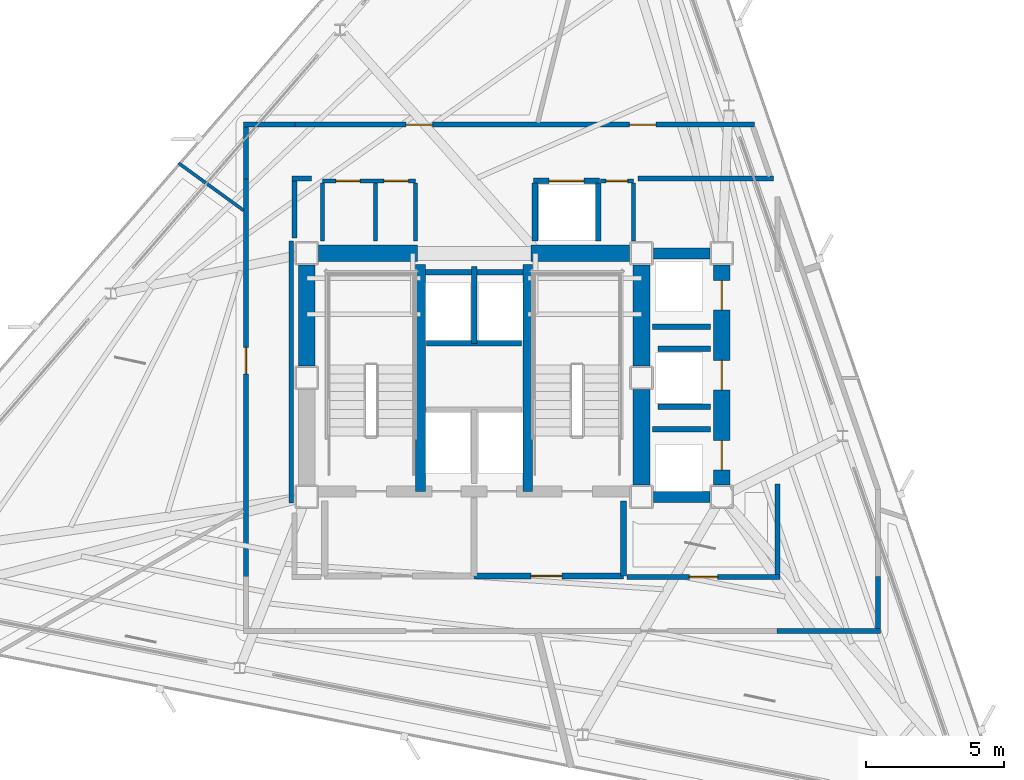
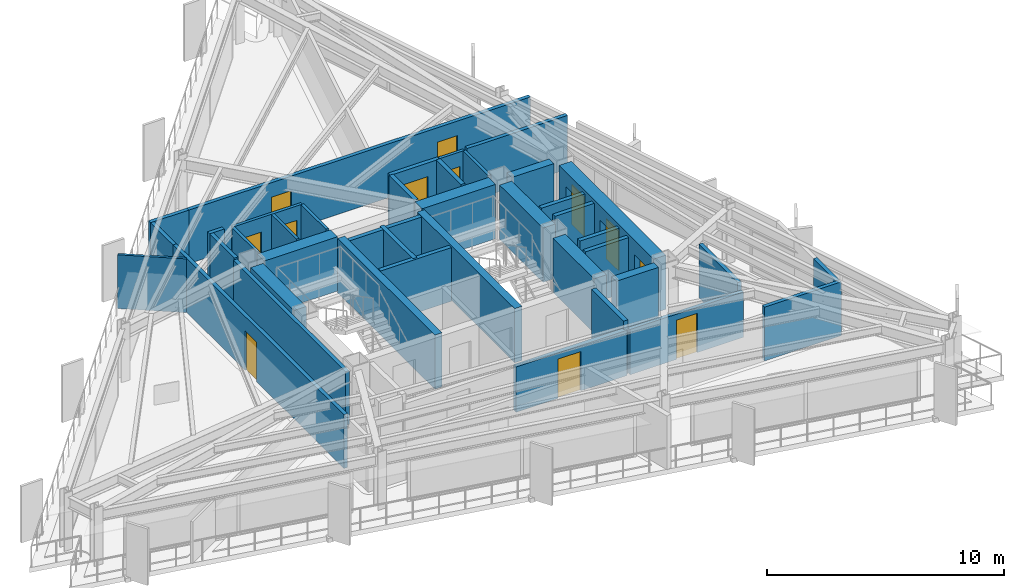
# One storey, part 9 of 13: 41 walls, 12 doors, 12 openings.
"""IFC4 building model written with IfcOpenShell, lengths in metres."""

from ifc_helpers import new_model, si_unit, direction, frame, frame_2d, origin, place, context, subcontext, project, spatial, rectangle, extrude, material, layer, layer_set, type_object, element, fill, save


model = new_model("IFC4")

# Units and contexts
model_context = context("Model", 3, precision=1e-05, world=origin(), true_north=direction((0.0, 1.0)))
body_context = subcontext(model_context, "Body", "Model", "MODEL_VIEW")
ifc_project = project(units=[si_unit("LENGTHUNIT", "METRE"), si_unit("AREAUNIT", "SQUARE_METRE"), si_unit("VOLUMEUNIT", "CUBIC_METRE"), si_unit("PLANEANGLEUNIT", "RADIAN"), si_unit("MASSUNIT", "GRAM", prefix="KILO")], contexts=[model_context])

# Site, building, storey
site_placement = place(None, origin())
site = spatial("IfcSite", under=ifc_project, at=site_placement, CompositionType="ELEMENT")
building_placement = place(site_placement, origin())
building = spatial("IfcBuilding", under=site, at=building_placement, Name="Rocaltana Carrier Exchange", CompositionType="ELEMENT")
storey_placement = place(building_placement, frame((0.0, 0.0, 153.280029296875)))
storey = spatial("IfcBuildingStorey", under=building, at=storey_placement, Name="L48", CompositionType="ELEMENT", Elevation=153.280029296875)

# Walls
ifc_material_1 = material(Name="Concrete C50/60", Category="concrete")
ifc_layer_1 = layer(ifc_material_1, 0.35009765625)
ifc_layer_set_1 = layer_set([ifc_layer_1], Name="Concrete C50/60")
wall_type_1 = type_object("IfcWallType", Name="Core Internal Shear Wall 350", PredefinedType="SHEAR", material=ifc_layer_set_1)
for number, where, z_axis, x_axis, name in (
    (1, (-1.93994140625, -4.10009765625, 0.0), (0.0, 0.0, 1.0), (0.0, 1.0, 0.0), "L48 Core Shear Wall CW-STW"),
    (2, (1.93994140625, -4.10009765625, 0.0), (0.0, 0.0, 1.0), (0.0, 1.0, 0.0), "L48 Core Shear Wall CW-STE"),
):
    element("IfcWall", number, at=place(storey_placement, frame(where, z_axis=z_axis, x_axis=x_axis)), inside=storey, type_object=wall_type_1, Name=name, PredefinedType="SHEAR", context=body_context, shape_type="SweptSolid", body=[
        extrude(rectangle(XDim=8.2001953125, YDim=0.35009765625, at=frame_2d((4.10009765625, 0.0))), origin(), (0.0, 0.0, 1.0), 2.7880859375),
    ])
ifc_material_2 = material(Name="Concrete C50/60", Category="concrete")
ifc_layer_2 = layer(ifc_material_2, 0.39990234375)
ifc_layer_set_2 = layer_set([ifc_layer_2], Name="Concrete C50/60")
wall_type_2 = type_object("IfcWallType", Name="Core Internal Shear Wall 400", PredefinedType="SHEAR", material=ifc_layer_set_2)
for number, where, z_axis, x_axis, name in (
    (3, (6.47509765625, 4.5, 0.0), (0.0, 0.0, 1.0), (1.0, 0.0, 0.0), "L48 Core Shear Wall CW-EWN"),
    (4, (6.47509765625, -4.300048828125, 0.0), (0.0, 0.0, 1.0), (1.0, 0.0, 0.0), "L48 Core Shear Wall CW-EWS"),
):
    element("IfcWall", number, at=place(storey_placement, frame(where, z_axis=z_axis, x_axis=x_axis)), inside=storey, type_object=wall_type_2, Name=name, PredefinedType="SHEAR", context=body_context, shape_type="SweptSolid", body=[
        extrude(rectangle(XDim=2.0498046875, YDim=0.39990234375, at=frame_2d((1.02490234375, 0.0))), origin(), (0.0, 0.0, 1.0), 2.7880859375),
    ])
ifc_material_3 = material(Name="Concrete C50/60", Category="concrete")
ifc_layer_3 = layer(ifc_material_3, 0.60009765625)
ifc_layer_set_3 = layer_set([ifc_layer_3], Name="Concrete C50/60")
wall_type_3 = type_object("IfcWallType", Name="Core Shear Wall 600", PredefinedType="SHEAR", material=ifc_layer_set_3)
for number, where, z_axis, x_axis, name in (
    (5, (-6.050048828125, 0.425048828125, 0.0), (0.0, 0.0, 1.0), (0.0, 1.0, 0.0), "L48 Core Shear Wall CW-WN"),
    (6, (6.050048828125, 0.425048828125, 0.0), (0.0, 0.0, 1.0), (0.0, 1.0, 0.0), "L48 Core Shear Wall CW-EN"),
):
    element("IfcWall", number, at=place(storey_placement, frame(where, z_axis=z_axis, x_axis=x_axis)), inside=storey, type_object=wall_type_3, Name=name, PredefinedType="SHEAR", context=body_context, shape_type="SweptSolid", body=[
        extrude(rectangle(XDim=3.64990234375, YDim=0.60009765625, at=frame_2d((1.824951171875, 0.0))), origin(), (0.0, 0.0, 1.0), 2.7880859375),
    ])
wall_1_placement = place(storey_placement, frame((6.050048828125, -3.875, 0.0), z_axis=(0.0, 0.0, 1.0), x_axis=(0.0, 1.0, 0.0)))
element("IfcWall", 7, at=wall_1_placement, inside=storey, type_object=wall_type_3, Name="L48 Core Shear Wall CW-ES", PredefinedType="SHEAR", context=body_context, shape_type="SweptSolid", body=[
    extrude(rectangle(XDim=3.449951171875, YDim=0.60009765625, at=frame_2d((1.72509765625, 0.0))), origin(), (0.0, 0.0, 1.0), 2.7880859375),
])
for number, where, z_axis, x_axis, name in (
    (8, (-5.625, 4.5, 0.0), (0.0, 0.0, 1.0), (1.0, 0.0, 0.0), "L48 Core Shear Wall CW-N1"),
    (9, (2.050048828125, 4.5, 0.0), (0.0, 0.0, 1.0), (1.0, 0.0, 0.0), "L48 Core Shear Wall CW-N2"),
):
    element("IfcWall", number, at=place(storey_placement, frame(where, z_axis=z_axis, x_axis=x_axis)), inside=storey, type_object=wall_type_3, Name=name, PredefinedType="SHEAR", context=body_context, shape_type="SweptSolid", body=[
        extrude(rectangle(XDim=3.574951171875, YDim=0.60009765625, at=frame_2d((1.78759765625, 0.0))), origin(), (0.0, 0.0, 1.0), 2.7880859375),
    ])

# Wall, openings, doors
wall_2_placement = place(storey_placement, frame((8.949951171875, -3.875, 0.0), z_axis=(0.0, 0.0, 1.0), x_axis=(0.0, 1.0, 0.0)))
wall_2 = element("IfcWall", 10, at=wall_2_placement, inside=storey, type_object=wall_type_3, Name="L48 Core Shear Wall CW-EW", PredefinedType="SHEAR", context=body_context, shape_type="SweptSolid", body=[
    extrude(rectangle(XDim=7.949951171875, YDim=0.60009765625, at=frame_2d((3.97509765625, 0.0))), origin(), (0.0, 0.0, 1.0), 2.7880859375),
])
opening_1_placement = place(wall_2_placement, frame((0.550048828125, 0.0, 0.0)))
opening_1 = element("IfcOpeningElement", 11, at=opening_1_placement, cuts=wall_2, Name="Opening LD-110", PredefinedType="OPENING", context=body_context, shape_type="SweptSolid", body=[
    extrude(rectangle(XDim=1.06005859375, YDim=2.0400390625, at=frame_2d((0.530029296875, 1.02001953125))), frame((0.0, 0.31005859375, 0.0), z_axis=(0.0, -1.0, 0.0), x_axis=(1.0, 0.0, 0.0)), (0.0, 0.0, 1.0), 0.6201171875),
])
opening_2_placement = place(wall_2_placement, frame((3.445068359375, 0.0, 0.0)))
opening_2 = element("IfcOpeningElement", 12, at=opening_2_placement, cuts=wall_2, Name="Opening LD-110", PredefinedType="OPENING", context=body_context, shape_type="SweptSolid", body=[
    extrude(rectangle(XDim=1.06005859375, YDim=2.0400390625, at=frame_2d((0.530029296875, 1.02001953125))), frame((0.0, 0.31005859375, 0.0), z_axis=(0.0, -1.0, 0.0), x_axis=(1.0, 0.0, 0.0)), (0.0, 0.0, 1.0), 0.6201171875),
])
opening_3_placement = place(wall_2_placement, frame((6.330078125, 0.0, 0.0)))
opening_3 = element("IfcOpeningElement", 13, at=opening_3_placement, cuts=wall_2, Name="Opening LD-110", PredefinedType="OPENING", context=body_context, shape_type="SweptSolid", body=[
    extrude(rectangle(XDim=1.06005859375, YDim=2.0400390625, at=frame_2d((0.530029296875, 1.02001953125))), frame((0.0, 0.31005859375, 0.0), z_axis=(0.0, -1.0, 0.0), x_axis=(1.0, 0.0, 0.0)), (0.0, 0.0, 1.0), 0.6201171875),
])
ifc_material_4 = material(Name="Brushed Stainless Sliding Door Leaf", Category="steel")
door_type_1 = type_object("IfcDoorType", Name="Lift Landing Sliding Door 1060x2040", OperationType="NOTDEFINED", PredefinedType="DOOR", material=ifc_material_4)
door_1_placement = place(opening_1_placement, origin())
door_1 = element("IfcDoor", 14, at=door_1_placement, inside=storey, type_object=door_type_1, Name="L48 Mid-Rise Lift PL-M1 Landing Door", OperationType="SLIDING_TO_LEFT", OverallHeight=2.0400390625, OverallWidth=1.06005859375, PredefinedType="DOOR", context=body_context, shape_type="SweptSolid", body=[
    extrude(rectangle(XDim=1.06005859375, YDim=2.0400390625, at=frame_2d((0.530029296875, 1.02001953125))), frame((0.0, 0.02490234375, 0.0), z_axis=(0.0, -1.0, 0.0), x_axis=(1.0, 0.0, 0.0)), (0.0, 0.0, 1.0), 0.050048828125),
])
fill(opening_1, door_1)
door_2_placement = place(opening_2_placement, origin())
door_2 = element("IfcDoor", 15, at=door_2_placement, inside=storey, type_object=door_type_1, Name="L48 Mid-Rise Lift PL-M2 Landing Door", OperationType="SLIDING_TO_RIGHT", OverallHeight=2.0400390625, OverallWidth=1.06005859375, PredefinedType="DOOR", context=body_context, shape_type="SweptSolid", body=[
    extrude(rectangle(XDim=1.06005859375, YDim=2.0400390625, at=frame_2d((0.530029296875, 1.02001953125))), frame((0.0, 0.02490234375, 0.0), z_axis=(0.0, -1.0, 0.0), x_axis=(1.0, 0.0, 0.0)), (0.0, 0.0, 1.0), 0.050048828125),
])
fill(opening_2, door_2)
door_3_placement = place(opening_3_placement, origin())
door_3 = element("IfcDoor", 16, at=door_3_placement, inside=storey, type_object=door_type_1, Name="L48 Mid-Rise Lift PL-M3 Landing Door", OperationType="SLIDING_TO_LEFT", OverallHeight=2.0400390625, OverallWidth=1.06005859375, PredefinedType="DOOR", context=body_context, shape_type="SweptSolid", body=[
    extrude(rectangle(XDim=1.06005859375, YDim=2.0400390625, at=frame_2d((0.530029296875, 1.02001953125))), frame((0.0, 0.02490234375, 0.0), z_axis=(0.0, -1.0, 0.0), x_axis=(1.0, 0.0, 0.0)), (0.0, 0.0, 1.0), 0.050048828125),
])
fill(opening_3, door_3)

# Wall, opening, door
ifc_material_5 = material(Name="Gypsum & Steel Stud Partition", Category="steel")
ifc_layer_4 = layer(ifc_material_5, 0.179931640625)
ifc_layer_set_4 = layer_set([ifc_layer_4], Name="Gypsum & Steel Stud Partition")
wall_type_4 = type_object("IfcWallType", Name="Corridor Fire Partition 180 EI60", PredefinedType="PARTITIONING", material=ifc_layer_set_4)
wall_3_placement = place(storey_placement, frame((-8.25, -7.219970703125, 0.0), z_axis=(0.0, 0.0, 1.0), x_axis=(0.0, 1.0, 0.0)))
wall_3 = element("IfcWall", 17, at=wall_3_placement, inside=storey, type_object=wall_type_4, Name="L48 Corridor Partition 3", PredefinedType="PARTITIONING", context=body_context, shape_type="SweptSolid", body=[
    extrude(rectangle(XDim=14.43994140625, YDim=0.179931640625, at=frame_2d((7.219970703125, 0.0))), origin(), (0.0, 0.0, 1.0), 2.762939453125),
])
opening_4_placement = place(wall_3_placement, frame((7.366455078125, 0.0, 0.0)))
opening_4 = element("IfcOpeningElement", 18, at=opening_4_placement, cuts=wall_3, Name="Opening D-RM098", PredefinedType="OPENING", context=body_context, shape_type="SweptSolid", body=[
    extrude(rectangle(XDim=0.9599609375, YDim=2.02001953125, at=frame_2d((0.47998046875, 1.010009765625))), frame((0.0, 0.099853515625, 0.0), z_axis=(0.0, -1.0, 0.0), x_axis=(1.0, 0.0, 0.0)), (0.0, 0.0, 1.0), 0.199951171875),
])
ifc_material_6 = material(Name="Engineered Hardwood Timber", Category="wood")
door_type_2 = type_object("IfcDoorType", Name="Workspace Single Door 960x2020", OperationType="NOTDEFINED", PredefinedType="DOOR", material=ifc_material_6)
door_4_placement = place(opening_4_placement, origin())
door_4 = element("IfcDoor", 19, at=door_4_placement, inside=storey, type_object=door_type_2, Name="L48 Cloud Architecture Office Entrance Door", OperationType="SINGLE_SWING_RIGHT", OverallHeight=2.02001953125, OverallWidth=0.9599609375, PredefinedType="DOOR", context=body_context, shape_type="SweptSolid", body=[
    extrude(rectangle(XDim=0.9599609375, YDim=2.02001953125, at=frame_2d((0.47998046875, 1.010009765625))), frame((0.0, 0.02490234375, 0.0), z_axis=(0.0, -1.0, 0.0), x_axis=(1.0, 0.0, 0.0)), (0.0, 0.0, 1.0), 0.050048828125),
])
fill(opening_4, door_4)

# Walls
wall_4_placement = place(storey_placement, frame((-8.25, 7.179931640625, 0.0), z_axis=(0.0, 0.0, 1.0), x_axis=(0.0, 1.0, 0.0)))
element("IfcWall", 20, at=wall_4_placement, inside=storey, type_object=wall_type_4, Name="L48 Corridor Partition 4", PredefinedType="PARTITIONING", context=body_context, shape_type="SweptSolid", body=[
    extrude(rectangle(XDim=1.880126953125, YDim=0.179931640625, at=frame_2d((0.93994140625, 0.0))), origin(), (0.0, 0.0, 1.0), 2.762939453125),
])
wall_5_placement = place(storey_placement, frame((-8.340087890625, 9.14990234375, 0.0), z_axis=(0.0, 0.0, 1.0), x_axis=(1.0, 0.0, 0.0)))
element("IfcWall", 21, at=wall_5_placement, inside=storey, type_object=wall_type_4, Name="L48 Corridor Partition 5", PredefinedType="PARTITIONING", context=body_context, shape_type="SweptSolid", body=[
    extrude(rectangle(XDim=1.860107421875, YDim=0.179931640625, at=frame_2d((0.93017578125, 0.0))), origin(), (0.0, 0.0, 1.0), 2.762939453125),
])

# Wall, openings, doors
wall_6_placement = place(storey_placement, frame((-6.52001953125, 9.14990234375, 0.0), z_axis=(0.0, 0.0, 1.0), x_axis=(1.0, 0.0, 0.0)))
wall_6 = element("IfcWall", 22, at=wall_6_placement, inside=storey, type_object=wall_type_4, Name="L48 Corridor Partition 6", PredefinedType="PARTITIONING", context=body_context, shape_type="SweptSolid", body=[
    extrude(rectangle(XDim=16.662353515625, YDim=0.179931640625, at=frame_2d((8.3310546875, 0.0))), origin(), (0.0, 0.0, 1.0), 2.762939453125),
])
opening_5_placement = place(wall_6_placement, frame((12.1328125, 0.0, 0.0)))
opening_5 = element("IfcOpeningElement", 23, at=opening_5_placement, cuts=wall_6, Name="Opening D-RM098", PredefinedType="OPENING", context=body_context, shape_type="SweptSolid", body=[
    extrude(rectangle(XDim=0.9599609375, YDim=2.02001953125, at=frame_2d((0.47998046875, 1.010009765625))), frame((0.0, 0.099853515625, 0.0), z_axis=(0.0, -1.0, 0.0), x_axis=(1.0, 0.0, 0.0)), (0.0, 0.0, 1.0), 0.199951171875),
])
opening_6_placement = place(wall_6_placement, frame((4.059814453125, 0.0, 0.0)))
opening_6 = element("IfcOpeningElement", 24, at=opening_6_placement, cuts=wall_6, Name="Opening D-RM098", PredefinedType="OPENING", context=body_context, shape_type="SweptSolid", body=[
    extrude(rectangle(XDim=0.9599609375, YDim=2.02001953125, at=frame_2d((0.47998046875, 1.010009765625))), frame((0.0, 0.099853515625, 0.0), z_axis=(0.0, -1.0, 0.0), x_axis=(1.0, 0.0, 0.0)), (0.0, 0.0, 1.0), 0.199951171875),
])
door_5_placement = place(opening_5_placement, origin())
door_5 = element("IfcDoor", 25, at=door_5_placement, inside=storey, type_object=door_type_2, Name="L48 Peering Conference Room Entrance Door", OperationType="SINGLE_SWING_RIGHT", OverallHeight=2.02001953125, OverallWidth=0.9599609375, PredefinedType="DOOR", context=body_context, shape_type="SweptSolid", body=[
    extrude(rectangle(XDim=0.9599609375, YDim=2.02001953125, at=frame_2d((0.47998046875, 1.010009765625))), frame((0.0, 0.02490234375, 0.0), z_axis=(0.0, -1.0, 0.0), x_axis=(1.0, 0.0, 0.0)), (0.0, 0.0, 1.0), 0.050048828125),
])
fill(opening_5, door_5)
door_6_placement = place(opening_6_placement, origin())
door_6 = element("IfcDoor", 26, at=door_6_placement, inside=storey, type_object=door_type_2, Name="L48 Network Operations Office Entrance Door", OperationType="SINGLE_SWING_LEFT", OverallHeight=2.02001953125, OverallWidth=0.9599609375, PredefinedType="DOOR", context=body_context, shape_type="SweptSolid", body=[
    extrude(rectangle(XDim=0.9599609375, YDim=2.02001953125, at=frame_2d((0.47998046875, 1.010009765625))), frame((0.0, 0.02490234375, 0.0), z_axis=(0.0, -1.0, 0.0), x_axis=(1.0, 0.0, 0.0)), (0.0, 0.0, 1.0), 0.050048828125),
])
fill(opening_6, door_6)

# Walls
wall_7_placement = place(storey_placement, frame((10.813720703125, 7.199951171875, 0.0), z_axis=(0.0, 0.0, 1.0), x_axis=(-1.0, 0.0, 0.0)))
element("IfcWall", 27, at=wall_7_placement, inside=storey, type_object=wall_type_4, Name="L48 Corridor Partition 8", PredefinedType="PARTITIONING", context=body_context, shape_type="SweptSolid", body=[
    extrude(rectangle(XDim=4.8837890625, YDim=0.179931640625, at=frame_2d((2.44189453125, 0.0))), origin(), (0.0, 0.0, 1.0), 2.762939453125),
])
wall_8_placement = place(storey_placement, frame((-5.8798828125, 7.199951171875, 0.0), z_axis=(0.0, 0.0, 1.0), x_axis=(-1.0, 0.0, 0.0)))
element("IfcWall", 28, at=wall_8_placement, inside=storey, type_object=wall_type_4, Name="L48 Corridor Partition 9", PredefinedType="PARTITIONING", context=body_context, shape_type="SweptSolid", body=[
    extrude(rectangle(XDim=0.710205078125, YDim=0.179931640625, at=frame_2d((0.35498046875, 0.0))), origin(), (0.0, 0.0, 1.0), 2.762939453125),
])
wall_9_placement = place(storey_placement, frame((-6.5, 7.110107421875, 0.0), z_axis=(0.0, 0.0, 1.0), x_axis=(0.0, -1.0, 0.0)))
element("IfcWall", 29, at=wall_9_placement, inside=storey, type_object=wall_type_4, Name="L48 Corridor Partition 10", PredefinedType="PARTITIONING", context=body_context, shape_type="SweptSolid", body=[
    extrude(rectangle(XDim=2.058349609375, YDim=0.179931640625, at=frame_2d((1.029296875, 0.0))), origin(), (0.0, 0.0, 1.0), 2.762939453125),
])
wall_10_placement = place(storey_placement, frame((-6.610107421875, 4.93994140625, 0.0), z_axis=(0.0, 0.0, 1.0), x_axis=(0.0, -1.0, 0.0)))
element("IfcWall", 30, at=wall_10_placement, inside=storey, type_object=wall_type_4, Name="L48 Corridor Partition 11", PredefinedType="PARTITIONING", context=body_context, shape_type="SweptSolid", body=[
    extrude(rectangle(XDim=9.4599609375, YDim=0.179931640625, at=frame_2d((4.72998046875, 0.0))), origin(), (0.0, 0.0, 1.0), 2.762939453125),
])

# Wall, opening, door
wall_11_placement = place(storey_placement, frame((5.530029296875, -7.199951171875, 0.0), z_axis=(0.0, 0.0, 1.0), x_axis=(1.0, 0.0, 0.0)))
wall_11 = element("IfcWall", 31, at=wall_11_placement, inside=storey, type_object=wall_type_4, Name="L48 Corridor Partition 14", PredefinedType="PARTITIONING", context=body_context, shape_type="SweptSolid", body=[
    extrude(rectangle(XDim=5.52001953125, YDim=0.179931640625, at=frame_2d((2.760009765625, 0.0))), origin(), (0.0, 0.0, 1.0), 2.330078125),
])
opening_7_placement = place(wall_11_placement, frame((2.25, 0.0, 0.0)))
opening_7 = element("IfcOpeningElement", 32, at=opening_7_placement, cuts=wall_11, Name="Opening D-LB104", PredefinedType="OPENING", context=body_context, shape_type="SweptSolid", body=[
    extrude(rectangle(XDim=1.02001953125, YDim=2.02001953125, at=frame_2d((0.510009765625, 1.010009765625))), frame((0.0, 0.099853515625, 0.0), z_axis=(0.0, -1.0, 0.0), x_axis=(1.0, 0.0, 0.0)), (0.0, 0.0, 1.0), 0.199951171875),
])
ifc_material_7 = material(Name="Powder-Coated Aluminium 6063-T6", Category="aluminium")
door_type_3 = type_object("IfcDoorType", Name="Laboratory Acoustic Door 1020x2020", OperationType="NOTDEFINED", PredefinedType="DOOR", material=ifc_material_7)
door_7_placement = place(opening_7_placement, origin())
door_7 = element("IfcDoor", 33, at=door_7_placement, inside=storey, type_object=door_type_3, Name="L48 Optical Switching Laboratory Entrance Door", OperationType="SINGLE_SWING_LEFT", OverallHeight=2.02001953125, OverallWidth=1.02001953125, PredefinedType="DOOR", context=body_context, shape_type="SweptSolid", body=[
    extrude(rectangle(XDim=1.02001953125, YDim=2.02001953125, at=frame_2d((0.510009765625, 1.010009765625))), frame((0.0, 0.02490234375, 0.0), z_axis=(0.0, -1.0, 0.0), x_axis=(1.0, 0.0, 0.0)), (0.0, 0.0, 1.0), 0.050048828125),
])
fill(opening_7, door_7)

# Walls
wall_12_placement = place(storey_placement, frame((10.9599609375, -7.110107421875, 0.0), z_axis=(0.0, 0.0, 1.0), x_axis=(0.0, 1.0, 0.0)))
element("IfcWall", 34, at=wall_12_placement, inside=storey, type_object=wall_type_4, Name="L48 Corridor Partition 15", PredefinedType="PARTITIONING", context=body_context, shape_type="SweptSolid", body=[
    extrude(rectangle(XDim=3.2705078125, YDim=0.179931640625, at=frame_2d((1.63525390625, 0.0))), origin(), (0.0, 0.0, 1.0), 2.762939453125),
])
wall_13_placement = place(storey_placement, frame((14.60009765625, -7.179931640625, 0.0), z_axis=(0.0, 0.0, 1.0), x_axis=(0.0, -1.0, 0.0)))
element("IfcWall", 35, at=wall_13_placement, inside=storey, type_object=wall_type_4, Name="L48 Corridor Partition 19", PredefinedType="PARTITIONING", context=body_context, shape_type="SweptSolid", body=[
    extrude(rectangle(XDim=1.880126953125, YDim=0.179931640625, at=frame_2d((0.93994140625, 0.0))), origin(), (0.0, 0.0, 1.0), 2.762939453125),
])
wall_14_placement = place(storey_placement, frame((14.68994140625, -9.14990234375, 0.0), z_axis=(0.0, 0.0, 1.0), x_axis=(-1.0, 0.0, 0.0)))
element("IfcWall", 36, at=wall_14_placement, inside=storey, type_object=wall_type_4, Name="L48 Corridor Partition 20", PredefinedType="PARTITIONING", context=body_context, shape_type="SweptSolid", body=[
    extrude(rectangle(XDim=3.75, YDim=0.179931640625, at=frame_2d((1.875, 0.0))), origin(), (0.0, 0.0, 1.0), 2.762939453125),
])
ifc_material_8 = material(Name="Aluminium 6063-T6 & Acoustic Glass", Category="aluminium")
ifc_layer_5 = layer(ifc_material_8, 0.114990234375)
ifc_layer_set_5 = layer_set([ifc_layer_5], Name="Aluminium 6063-T6 & Acoustic Glass")
wall_type_5 = type_object("IfcWallType", Name="Demountable Glazed Lab Partition 115", PredefinedType="MOVABLE", material=ifc_layer_set_5)
wall_15_placement = place(storey_placement, frame((-8.330078125, 6.052001953125, 0.0), z_axis=(0.0, 0.0, 1.0), x_axis=(-0.808997455981, 0.587812143644, 0.0)))
element("IfcWall", 37, at=wall_15_placement, inside=storey, type_object=wall_type_5, Name="L48 Suite Divider Wall D7", PredefinedType="MOVABLE", context=body_context, shape_type="SweptSolid", body=[
    extrude(rectangle(XDim=2.907470703125, YDim=0.114990234375, at=frame_2d((1.45361328125, 0.0))), origin(), (0.0, 0.0, 1.0), 2.762939453125),
])
ifc_material_9 = material(Name="Autoclaved Aerated Concrete C30/37", Category="concrete")
ifc_layer_6 = layer(ifc_material_9, 0.219970703125)
ifc_layer_set_6 = layer_set([ifc_layer_6], Name="Autoclaved Aerated Concrete C30/37")
wall_type_6 = type_object("IfcWallType", Name="Firefighting Lobby Wall 220 EI120", PredefinedType="PARTITIONING", material=ifc_layer_set_6)
wall_16_placement = place(storey_placement, frame((5.39990234375, -7.159912109375, 0.0), z_axis=(0.0, 0.0, 1.0), x_axis=(0.0, 1.0, 0.0)))
element("IfcWall", 38, at=wall_16_placement, inside=storey, type_object=wall_type_6, Name="L48 FFL Lobby 2 East Wall", PredefinedType="PARTITIONING", context=body_context, shape_type="SweptSolid", body=[
    extrude(rectangle(XDim=2.7099609375, YDim=0.219970703125, at=frame_2d((1.35498046875, 0.0))), origin(), (0.0, 0.0, 1.0), 2.762939453125),
])

# Wall, opening, door
wall_17_placement = place(storey_placement, frame((0.0, -7.159912109375, 0.0), z_axis=(0.0, 0.0, 1.0), x_axis=(1.0, 0.0, 0.0)))
wall_17 = element("IfcWall", 39, at=wall_17_placement, inside=storey, type_object=wall_type_6, Name="L48 FFL Lobby 2 South Wall", PredefinedType="PARTITIONING", context=body_context, shape_type="SweptSolid", body=[
    extrude(rectangle(XDim=5.39990234375, YDim=0.219970703125, at=frame_2d((2.699951171875, 0.0))), origin(), (0.0, 0.0, 1.0), 2.330078125),
])
opening_8_placement = place(wall_17_placement, frame((2.050048828125, 0.0, 0.0)))
opening_8 = element("IfcOpeningElement", 40, at=opening_8_placement, cuts=wall_17, Name="Opening D-FF115", PredefinedType="OPENING", context=body_context, shape_type="SweptSolid", body=[
    extrude(rectangle(XDim=1.1201171875, YDim=2.02001953125, at=frame_2d((0.56005859375, 1.010009765625))), frame((0.0, 0.119873046875, 0.0), z_axis=(0.0, -1.0, 0.0), x_axis=(1.0, 0.0, 0.0)), (0.0, 0.0, 1.0), 0.239990234375),
])
ifc_material_10 = material(Name="Hollow Metal Fire Door Assembly", Category="steel")
door_type_4 = type_object("IfcDoorType", Name="Firefighting Lobby Door 1120x2020 FD60S", OperationType="NOTDEFINED", PredefinedType="DOOR", material=ifc_material_10)
door_8_placement = place(opening_8_placement, origin())
door_8 = element("IfcDoor", 41, at=door_8_placement, inside=storey, type_object=door_type_4, Name="L48 Firefighting Lift Lobby 2 Door", OperationType="SINGLE_SWING_RIGHT", OverallHeight=2.02001953125, OverallWidth=1.1201171875, PredefinedType="DOOR", context=body_context, shape_type="SweptSolid", body=[
    extrude(rectangle(XDim=1.1201171875, YDim=2.02001953125, at=frame_2d((0.56005859375, 1.010009765625))), frame((0.0, 0.02490234375, 0.0), z_axis=(0.0, -1.0, 0.0), x_axis=(1.0, 0.0, 0.0)), (0.0, 0.0, 1.0), 0.050048828125),
])
fill(opening_8, door_8)

# Walls
ifc_material_11 = material(Name="Reinforced Concrete Block C35/45", Category="concrete")
ifc_layer_7 = layer(ifc_material_11, 0.199951171875)
ifc_layer_set_7 = layer_set([ifc_layer_7], Name="Reinforced Concrete Block C35/45")
wall_type_7 = type_object("IfcWallType", Name="Lift Hoistway Enclosure Wall 200 EI120", PredefinedType="PARTITIONING", material=ifc_layer_set_7)
wall_18_placement = place(storey_placement, frame((0.0, 1.25, 0.0), z_axis=(0.0, 0.0, 1.0), x_axis=(0.0, 1.0, 0.0)))
element("IfcWall", 42, at=wall_18_placement, inside=storey, type_object=wall_type_7, Name="L48 High-Rise Shaft Divider", PredefinedType="PARTITIONING", context=body_context, shape_type="SweptSolid", body=[
    extrude(rectangle(XDim=2.77001953125, YDim=0.199951171875, at=frame_2d((1.385009765625, 0.0))), origin(), (0.0, 0.0, 1.0), 2.762939453125),
])
wall_19_placement = place(storey_placement, frame((-1.719970703125, 1.25, 0.0), z_axis=(0.0, 0.0, 1.0), x_axis=(1.0, 0.0, 0.0)))
element("IfcWall", 43, at=wall_19_placement, inside=storey, type_object=wall_type_7, Name="L48 High-Rise Shaft Back Wall", PredefinedType="PARTITIONING", context=body_context, shape_type="SweptSolid", body=[
    extrude(rectangle(XDim=3.43994140625, YDim=0.199951171875, at=frame_2d((1.719970703125, 0.0))), origin(), (0.0, 0.0, 1.0), 2.762939453125),
])
wall_20_placement = place(storey_placement, frame((-1.760009765625, 3.820068359375, 0.0), z_axis=(0.0, 0.0, 1.0), x_axis=(1.0, 0.0, 0.0)))
element("IfcWall", 44, at=wall_20_placement, inside=storey, type_object=wall_type_7, Name="L48 High-Rise Lift Front Wall", PredefinedType="PARTITIONING", context=body_context, shape_type="SweptSolid", body=[
    extrude(rectangle(XDim=3.52001953125, YDim=0.199951171875, at=frame_2d((1.760009765625, 0.0))), origin(), (0.0, 0.0, 1.0), 2.762939453125),
])
for number, where, z_axis, x_axis, name in (
    (45, (2.199951171875, 4.949951171875, 0.0), (0.0, 0.0, 1.0), (0.0, 1.0, 0.0), "L48 Goods Lift West Wall"),
    (46, (4.47998046875, 4.949951171875, 0.0), (0.0, 0.0, 1.0), (0.0, 1.0, 0.0), "L48 Goods Lift East Wall"),
):
    element("IfcWall", number, at=place(storey_placement, frame(where, z_axis=z_axis, x_axis=x_axis)), inside=storey, type_object=wall_type_7, Name=name, PredefinedType="PARTITIONING", context=body_context, shape_type="SweptSolid", body=[
        extrude(rectangle(XDim=2.10009765625, YDim=0.199951171875, at=frame_2d((1.050048828125, 0.0))), origin(), (0.0, 0.0, 1.0), 2.762939453125),
    ])

# Wall, opening, door
wall_21_placement = place(storey_placement, frame((2.14990234375, 7.1201171875, 0.0), z_axis=(0.0, 0.0, 1.0), x_axis=(1.0, 0.0, 0.0)))
wall_21 = element("IfcWall", 47, at=wall_21_placement, inside=storey, type_object=wall_type_7, Name="L48 Goods Lift Front Wall", PredefinedType="PARTITIONING", context=body_context, shape_type="SweptSolid", body=[
    extrude(rectangle(XDim=2.380126953125, YDim=0.199951171875, at=frame_2d((1.18994140625, 0.0))), origin(), (0.0, 0.0, 1.0), 2.762939453125),
])
opening_9_placement = place(wall_21_placement, frame((0.56005859375, 0.0, 0.0)))
opening_9 = element("IfcOpeningElement", 48, at=opening_9_placement, cuts=wall_21, Name="Opening LD-130", PredefinedType="OPENING", context=body_context, shape_type="SweptSolid", body=[
    extrude(rectangle(XDim=1.260009765625, YDim=2.06005859375, at=frame_2d((0.6298828125, 1.030029296875))), frame((0.0, 0.10986328125, 0.0), z_axis=(0.0, -1.0, 0.0), x_axis=(1.0, 0.0, 0.0)), (0.0, 0.0, 1.0), 0.219970703125),
])
ifc_material_12 = material(Name="Brushed Stainless Sliding Door Leaf", Category="steel")
door_type_5 = type_object("IfcDoorType", Name="Goods Lift Landing Sliding Door 1260x2060", OperationType="NOTDEFINED", PredefinedType="DOOR", material=ifc_material_12)
door_9_placement = place(opening_9_placement, origin())
door_9 = element("IfcDoor", 49, at=door_9_placement, inside=storey, type_object=door_type_5, Name="L48 Goods Lift GL-1 Landing Door", OperationType="SLIDING_TO_LEFT", OverallHeight=2.06005859375, OverallWidth=1.260009765625, PredefinedType="DOOR", context=body_context, shape_type="SweptSolid", body=[
    extrude(rectangle(XDim=1.260009765625, YDim=2.06005859375, at=frame_2d((0.6298828125, 1.030029296875))), frame((0.0, 0.02490234375, 0.0), z_axis=(0.0, -1.0, 0.0), x_axis=(1.0, 0.0, 0.0)), (0.0, 0.0, 1.0), 0.050048828125),
])
fill(opening_9, door_9)

# Walls
for number, where, z_axis, x_axis, name in (
    (50, (6.449951171875, -1.85009765625, 0.0), (0.0, 0.0, 1.0), (1.0, 0.0, 0.0), "L48 Mid-Rise Shaft Divider 1"),
    (51, (6.449951171875, 1.85009765625, 0.0), (0.0, 0.0, 1.0), (1.0, 0.0, 0.0), "L48 Mid-Rise Shaft Divider 2"),
):
    element("IfcWall", number, at=place(storey_placement, frame(where, z_axis=z_axis, x_axis=x_axis)), inside=storey, type_object=wall_type_7, Name=name, PredefinedType="PARTITIONING", context=body_context, shape_type="SweptSolid", body=[
        extrude(rectangle(XDim=2.10009765625, YDim=0.199951171875, at=frame_2d((1.050048828125, 0.0))), origin(), (0.0, 0.0, 1.0), 2.762939453125),
    ])
for number, where, z_axis, x_axis, name in (
    (52, (6.639892578125, -1.050048828125, 0.0), (0.0, 0.0, 1.0), (1.0, 0.0, 0.0), "L48 Mid-Rise Center Shaft Wall South"),
    (53, (6.639892578125, 1.050048828125, 0.0), (0.0, 0.0, 1.0), (1.0, 0.0, 0.0), "L48 Mid-Rise Center Shaft Wall North"),
):
    element("IfcWall", number, at=place(storey_placement, frame(where, z_axis=z_axis, x_axis=x_axis)), inside=storey, type_object=wall_type_7, Name=name, PredefinedType="PARTITIONING", context=body_context, shape_type="SweptSolid", body=[
        extrude(rectangle(XDim=1.91015625, YDim=0.199951171875, at=frame_2d((0.955078125, 0.0))), origin(), (0.0, 0.0, 1.0), 2.762939453125),
    ])
ifc_material_13 = material(Name="Moisture-Resistant Masonry C30/37", Category="masonry")
ifc_layer_8 = layer(ifc_material_13, 0.139892578125)
ifc_layer_set_8 = layer_set([ifc_layer_8], Name="Moisture-Resistant Masonry C30/37")
wall_type_8 = type_object("IfcWallType", Name="Wet-Area Sanitary Partition 140", PredefinedType="PARTITIONING", material=ifc_layer_set_8)
for number, where, z_axis, x_axis, name in (
    (54, (-5.47998046875, 4.949951171875, 0.0), (0.0, 0.0, 1.0), (0.0, 1.0, 0.0), "L48 Sanitary West Wall"),
    (55, (-3.56005859375, 4.949951171875, 0.0), (0.0, 0.0, 1.0), (0.0, 1.0, 0.0), "L48 Sanitary Divider"),
    (56, (-2.1201171875, 4.949951171875, 0.0), (0.0, 0.0, 1.0), (0.0, 1.0, 0.0), "L48 Sanitary East Wall"),
):
    element("IfcWall", number, at=place(storey_placement, frame(where, z_axis=z_axis, x_axis=x_axis)), inside=storey, type_object=wall_type_8, Name=name, PredefinedType="PARTITIONING", context=body_context, shape_type="SweptSolid", body=[
        extrude(rectangle(XDim=2.10009765625, YDim=0.139892578125, at=frame_2d((1.050048828125, 0.0))), origin(), (0.0, 0.0, 1.0), 2.762939453125),
    ])

# Wall, openings, doors
wall_22_placement = place(storey_placement, frame((-5.47998046875, 7.1201171875, 0.0), z_axis=(0.0, 0.0, 1.0), x_axis=(1.0, 0.0, 0.0)))
wall_22 = element("IfcWall", 57, at=wall_22_placement, inside=storey, type_object=wall_type_8, Name="L48 Sanitary North Wall", PredefinedType="PARTITIONING", context=body_context, shape_type="SweptSolid", body=[
    extrude(rectangle(XDim=3.35986328125, YDim=0.139892578125, at=frame_2d((1.679931640625, 0.0))), origin(), (0.0, 0.0, 1.0), 2.762939453125),
])
opening_10_placement = place(wall_22_placement, frame((0.47998046875, 0.0, 0.0)))
opening_10 = element("IfcOpeningElement", 58, at=opening_10_placement, cuts=wall_22, Name="Opening D-WC090", PredefinedType="OPENING", context=body_context, shape_type="SweptSolid", body=[
    extrude(rectangle(XDim=0.8798828125, YDim=2.02001953125, at=frame_2d((0.43994140625, 1.010009765625))), frame((0.0, 0.079833984375, 0.0), z_axis=(0.0, -1.0, 0.0), x_axis=(1.0, 0.0, 0.0)), (0.0, 0.0, 1.0), 0.159912109375),
])
opening_11_placement = place(wall_22_placement, frame((2.219970703125, 0.0, 0.0)))
opening_11 = element("IfcOpeningElement", 59, at=opening_11_placement, cuts=wall_22, Name="Opening D-WC090", PredefinedType="OPENING", context=body_context, shape_type="SweptSolid", body=[
    extrude(rectangle(XDim=0.8798828125, YDim=2.02001953125, at=frame_2d((0.43994140625, 1.010009765625))), frame((0.0, 0.079833984375, 0.0), z_axis=(0.0, -1.0, 0.0), x_axis=(1.0, 0.0, 0.0)), (0.0, 0.0, 1.0), 0.159912109375),
])
ifc_material_14 = material(Name="High-Pressure Laminate Timber", Category="wood")
door_type_6 = type_object("IfcDoorType", Name="Restroom & Accessible WC Door 880x2020", OperationType="NOTDEFINED", PredefinedType="DOOR", material=ifc_material_14)
door_10_placement = place(opening_10_placement, origin())
door_10 = element("IfcDoor", 60, at=door_10_placement, inside=storey, type_object=door_type_6, Name="L48 Accessible Toilet Door", OperationType="SINGLE_SWING_LEFT", OverallHeight=2.02001953125, OverallWidth=0.8798828125, PredefinedType="DOOR", context=body_context, shape_type="SweptSolid", body=[
    extrude(rectangle(XDim=0.8798828125, YDim=2.02001953125, at=frame_2d((0.43994140625, 1.010009765625))), frame((0.0, 0.02490234375, 0.0), z_axis=(0.0, -1.0, 0.0), x_axis=(1.0, 0.0, 0.0)), (0.0, 0.0, 1.0), 0.050048828125),
])
fill(opening_10, door_10)
door_11_placement = place(opening_11_placement, origin())
door_11 = element("IfcDoor", 61, at=door_11_placement, inside=storey, type_object=door_type_6, Name="L48 Staff Restroom Door", OperationType="SINGLE_SWING_RIGHT", OverallHeight=2.02001953125, OverallWidth=0.8798828125, PredefinedType="DOOR", context=body_context, shape_type="SweptSolid", body=[
    extrude(rectangle(XDim=0.8798828125, YDim=2.02001953125, at=frame_2d((0.43994140625, 1.010009765625))), frame((0.0, 0.02490234375, 0.0), z_axis=(0.0, -1.0, 0.0), x_axis=(1.0, 0.0, 0.0)), (0.0, 0.0, 1.0), 0.050048828125),
])
fill(opening_11, door_11)

# Wall
wall_23_placement = place(storey_placement, frame((5.760009765625, 4.949951171875, 0.0), z_axis=(0.0, 0.0, 1.0), x_axis=(0.0, 1.0, 0.0)))
element("IfcWall", 62, at=wall_23_placement, inside=storey, type_object=wall_type_8, Name="L48 Riser East Wall", PredefinedType="PARTITIONING", context=body_context, shape_type="SweptSolid", body=[
    extrude(rectangle(XDim=2.10009765625, YDim=0.139892578125, at=frame_2d((1.050048828125, 0.0))), origin(), (0.0, 0.0, 1.0), 2.762939453125),
])

# Wall, opening, door
wall_24_placement = place(storey_placement, frame((4.56005859375, 7.1201171875, 0.0), z_axis=(0.0, 0.0, 1.0), x_axis=(1.0, 0.0, 0.0)))
wall_24 = element("IfcWall", 63, at=wall_24_placement, inside=storey, type_object=wall_type_8, Name="L48 Riser North Wall", PredefinedType="PARTITIONING", context=body_context, shape_type="SweptSolid", body=[
    extrude(rectangle(XDim=1.199951171875, YDim=0.139892578125, at=frame_2d((0.60009765625, 0.0))), origin(), (0.0, 0.0, 1.0), 2.762939453125),
])
opening_12_placement = place(wall_24_placement, frame((0.2099609375, 0.0, 0.0)))
opening_12 = element("IfcOpeningElement", 64, at=opening_12_placement, cuts=wall_24, Name="Opening D-RS082", PredefinedType="OPENING", context=body_context, shape_type="SweptSolid", body=[
    extrude(rectangle(XDim=0.780029296875, YDim=2.010009765625, at=frame_2d((0.39013671875, 1.0048828125))), frame((0.0, 0.079833984375, 0.0), z_axis=(0.0, -1.0, 0.0), x_axis=(1.0, 0.0, 0.0)), (0.0, 0.0, 1.0), 0.159912109375),
])
ifc_material_15 = material(Name="Hollow Metal Access Door Leaf", Category="steel")
door_type_7 = type_object("IfcDoorType", Name="Riser & Service Closet Door 780x2010", OperationType="NOTDEFINED", PredefinedType="DOOR", material=ifc_material_15)
door_12_placement = place(opening_12_placement, origin())
door_12 = element("IfcDoor", 65, at=door_12_placement, inside=storey, type_object=door_type_7, Name="L48 Fibre Riser Closet Door", OperationType="SINGLE_SWING_LEFT", OverallHeight=2.010009765625, OverallWidth=0.780029296875, PredefinedType="DOOR", context=body_context, shape_type="SweptSolid", body=[
    extrude(rectangle(XDim=0.780029296875, YDim=2.010009765625, at=frame_2d((0.39013671875, 1.0048828125))), frame((0.0, 0.02490234375, 0.0), z_axis=(0.0, -1.0, 0.0), x_axis=(1.0, 0.0, 0.0)), (0.0, 0.0, 1.0), 0.050048828125),
])
fill(opening_12, door_12)

save(model, "model.ifc")
